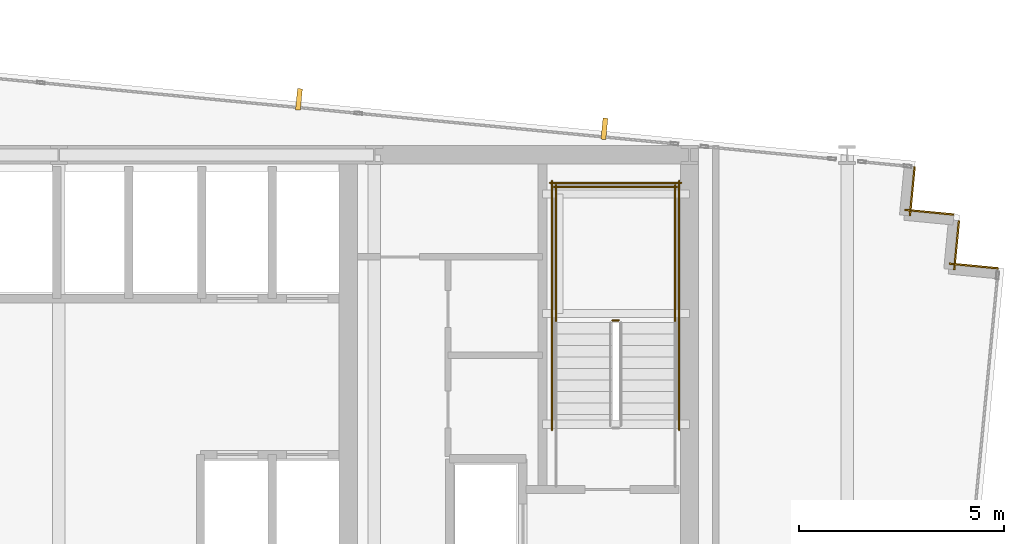
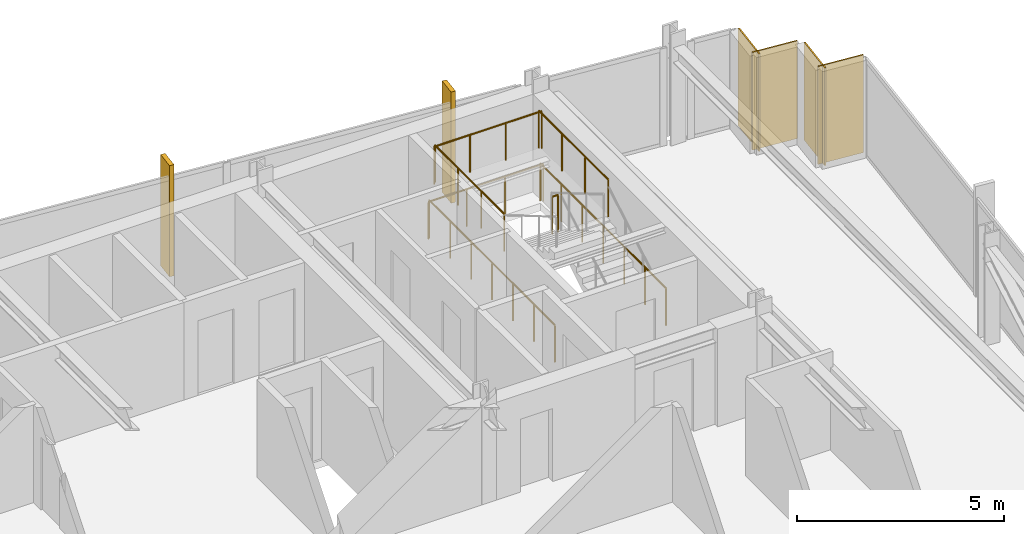
# One storey, part 37 of 37: 7 railings, 4 coverings, 2 shading devices.
"""IFC4 building model written with IfcOpenShell, lengths in metres."""

from ifc_helpers import new_model, si_unit, direction, frame, frame_2d, origin, origin_2d, place, context, subcontext, project, spatial, rectangle, circle, extrude, material, layer, layer_set, type_object, element, save


model = new_model("IFC4")

# Units and contexts
model_context = context("Model", 3, precision=1e-05, world=origin(), true_north=direction((0.0, 1.0)))
body_context = subcontext(model_context, "Body", "Model", "MODEL_VIEW")
ifc_project = project(units=[si_unit("LENGTHUNIT", "METRE"), si_unit("AREAUNIT", "SQUARE_METRE"), si_unit("VOLUMEUNIT", "CUBIC_METRE"), si_unit("PLANEANGLEUNIT", "RADIAN"), si_unit("MASSUNIT", "GRAM", prefix="KILO")], contexts=[model_context])

# Site, building, storey
site_placement = place(None, origin())
site = spatial("IfcSite", under=ifc_project, at=site_placement, CompositionType="ELEMENT")
building_placement = place(site_placement, origin())
building = spatial("IfcBuilding", under=site, at=building_placement, Name="Yelkora Congress Tower", CompositionType="ELEMENT")
storey_placement = place(building_placement, frame((0.0, 0.0, 188.60009765625)))
storey = spatial("IfcBuildingStorey", under=building, at=storey_placement, Name="L52", CompositionType="ELEMENT", Elevation=188.60009765625)

# Coverings
ifc_material_1 = material(Name="Anatolian bush-hammered limestone", Category="masonry")
ifc_layer_1 = layer(ifc_material_1, 0.0400390625)
ifc_layer_set_1 = layer_set([ifc_layer_1], Name="Anatolian bush-hammered limestone")
covering_type = type_object("IfcCoveringType", Name="COV-CLAD-SPANDREL-40", PredefinedType="CLADDING", material=ifc_layer_set_1)
covering_1_placement = place(storey_placement, frame((59.2431640625, 45.909912109375, 0.0), z_axis=(0.0, 0.0, 1.0), x_axis=(-0.095836473879, -0.995397091755, 0.0)))
element("IfcCovering", 1, at=covering_1_placement, inside=storey, type_object=covering_type, Name="L52 Anatolian Limestone Cladding EW-L52-SR11", PredefinedType="CLADDING", context=body_context, shape_type="SweptSolid", body=[
    extrude(rectangle(XDim=1.199951171875, YDim=0.0400390625, at=frame_2d((0.60009765625, 0.0))), origin(), (0.0, 0.0, 1.0), 2.8798828125),
])
for number, where, z_axis, x_axis, name in (
    (2, (59.006591796875, 44.86279296875, 0.0), (0.0, 0.0, 1.0), (0.995398960025, -0.095817067274, 0.0), "L52 Anatolian Limestone Cladding EW-L52-SR12"),
    (3, (60.322509765625, 44.6005859375, 0.0), (0.0, 0.0, 1.0), (-0.095817067274, -0.995398960025, 0.0), "L52 Anatolian Limestone Cladding EW-L52-SR13"),
):
    element("IfcCovering", number, at=place(storey_placement, frame(where, z_axis=z_axis, x_axis=x_axis)), inside=storey, type_object=covering_type, Name=name, PredefinedType="CLADDING", context=body_context, shape_type="SweptSolid", body=[
        extrude(rectangle(XDim=1.2001953125, YDim=0.0400390625, at=frame_2d((0.60009765625, 0.0))), origin(), (0.0, 0.0, 1.0), 2.8798828125),
    ])
covering_2_placement = place(storey_placement, frame((60.086181640625, 43.55322265625, 0.0), z_axis=(0.0, 0.0, 1.0), x_axis=(0.995397091755, -0.095836473879, 0.0)))
element("IfcCovering", 4, at=covering_2_placement, inside=storey, type_object=covering_type, Name="L52 Anatolian Limestone Cladding EW-L52-SR14", PredefinedType="CLADDING", context=body_context, shape_type="SweptSolid", body=[
    extrude(rectangle(XDim=1.199951171875, YDim=0.0400390625, at=frame_2d((0.60009765625, 0.0))), origin(), (0.0, 0.0, 1.0), 2.8798828125),
])

# Railings
ifc_material_2 = material(Name="Painted galvanised steel stair well guard with vertical infill", Category="steel")
ifc_layer_2 = layer(ifc_material_2, 0.06005859375)
ifc_layer_set_2 = layer_set([ifc_layer_2], Name="Painted galvanised steel stair well guard with vertical infill")
railing_type = type_object("IfcRailingType", Name="RAIL-STAIR-GUARD-1120", PredefinedType="GUARDRAIL", material=ifc_layer_set_2)
railing_1_placement = place(storey_placement, frame((52.0400390625, 42.169921875, 1.64990234375)))
element("IfcRailing", 5, at=railing_1_placement, inside=storey, type_object=railing_type, Name="ST-02 L52 Stair Well Guardrail 2", PredefinedType="GUARDRAIL", context=body_context, shape_type="SweptSolid", body=[
    extrude(circle(Radius=0.02392578125, at=origin_2d()), frame((0.0, 0.0, 1.09619140625), z_axis=(-1.0, 0.0, 0.0), x_axis=(0.0, -1.0, 0.0)), (0.0, 0.0, 1.0), 0.16015625),
    extrude(circle(Radius=0.02099609375, at=origin_2d()), origin(), (0.0, 0.0, 1.0), 1.072021484375),
    extrude(circle(Radius=0.02099609375, at=origin_2d()), frame((-0.16015625, 0.0, 0.0)), (0.0, 0.0, 1.0), 1.072021484375),
])
for number, where, name in (
    (6, (53.409912109375, 42.1201171875, 1.64990234375), "ST-02 L52 Stair Well Guardrail 3"),
    (7, (50.510009765625, 42.1201171875, 1.64990234375), "ST-02 L52 Stair Well Guardrail 4"),
):
    element("IfcRailing", number, at=place(storey_placement, frame(where)), inside=storey, type_object=railing_type, Name=name, PredefinedType="GUARDRAIL", context=body_context, shape_type="SweptSolid", body=[
        extrude(circle(Radius=0.02392578125, at=origin_2d()), frame((0.0, 0.0, 1.09619140625), z_axis=(0.0, 1.0, 0.0), x_axis=(-1.0, 0.0, 0.0)), (0.0, 0.0, 1.0), 3.349853515625),
        extrude(circle(Radius=0.02099609375, at=origin_2d()), origin(), (0.0, 0.0, 1.0), 1.072021484375),
        extrude(circle(Radius=0.02099609375, at=origin_2d()), frame((0.0, 1.11669921875, 0.0)), (0.0, 0.0, 1.0), 1.072021484375),
        extrude(circle(Radius=0.02099609375, at=origin_2d()), frame((0.0, 2.233154296875, 0.0)), (0.0, 0.0, 1.0), 1.072021484375),
        extrude(circle(Radius=0.02099609375, at=origin_2d()), frame((0.0, 3.349853515625, 0.0)), (0.0, 0.0, 1.0), 1.072021484375),
    ])
railing_2_placement = place(storey_placement, frame((53.4599609375, 45.419921875, 1.64990234375)))
element("IfcRailing", 8, at=railing_2_placement, inside=storey, type_object=railing_type, Name="ST-02 L52 Stair Well Guardrail 5", PredefinedType="GUARDRAIL", context=body_context, shape_type="SweptSolid", body=[
    extrude(circle(Radius=0.02392578125, at=origin_2d()), frame((0.0, 0.0, 1.09619140625), z_axis=(-1.0, 0.0, 0.0), x_axis=(0.0, -1.0, 0.0)), (0.0, 0.0, 1.0), 3.0),
    extrude(circle(Radius=0.02099609375, at=origin_2d()), origin(), (0.0, 0.0, 1.0), 1.072021484375),
    extrude(circle(Radius=0.02099609375, at=origin_2d()), frame((-1.0, 0.0, 0.0)), (0.0, 0.0, 1.0), 1.072021484375),
    extrude(circle(Radius=0.02099609375, at=origin_2d()), frame((-2.0, 0.0, 0.0)), (0.0, 0.0, 1.0), 1.072021484375),
    extrude(circle(Radius=0.02099609375, at=origin_2d()), frame((-3.0, 0.0, 0.0)), (0.0, 0.0, 1.0), 1.072021484375),
])
for number, where, name in (
    (9, (53.510009765625, 39.5, 0.0), "ST-02 L52 Stair Well Guardrail 10"),
    (10, (50.409912109375, 39.5, 0.0), "ST-02 L52 Stair Well Guardrail 11"),
):
    element("IfcRailing", number, at=place(storey_placement, frame(where)), inside=storey, type_object=railing_type, Name=name, PredefinedType="GUARDRAIL", context=body_context, shape_type="SweptSolid", body=[
        extrude(circle(Radius=0.02392578125, at=origin_2d()), frame((0.0, 0.0, 1.09619140625), z_axis=(0.0, 1.0, 0.0), x_axis=(-1.0, 0.0, 0.0)), (0.0, 0.0, 1.0), 6.070068359375),
        extrude(circle(Radius=0.02099609375, at=origin_2d()), origin(), (0.0, 0.0, 1.0), 1.072021484375),
        extrude(circle(Radius=0.02099609375, at=origin_2d()), frame((0.0, 1.01171875, 0.0)), (0.0, 0.0, 1.0), 1.072021484375),
        extrude(circle(Radius=0.02099609375, at=origin_2d()), frame((0.0, 2.0234375, 0.0)), (0.0, 0.0, 1.0), 1.072021484375),
        extrude(circle(Radius=0.02099609375, at=origin_2d()), frame((0.0, 3.03515625, 0.0)), (0.0, 0.0, 1.0), 1.072021484375),
        extrude(circle(Radius=0.02099609375, at=origin_2d()), frame((0.0, 4.046630859375, 0.0)), (0.0, 0.0, 1.0), 1.072021484375),
        extrude(circle(Radius=0.02099609375, at=origin_2d()), frame((0.0, 5.058349609375, 0.0)), (0.0, 0.0, 1.0), 1.072021484375),
        extrude(circle(Radius=0.02099609375, at=origin_2d()), frame((0.0, 6.070068359375, 0.0)), (0.0, 0.0, 1.0), 1.072021484375),
    ])
railing_3_placement = place(storey_placement, frame((53.56005859375, 45.52001953125, 0.0)))
element("IfcRailing", 11, at=railing_3_placement, inside=storey, type_object=railing_type, Name="ST-02 L52 Stair Well Guardrail 12", PredefinedType="GUARDRAIL", context=body_context, shape_type="SweptSolid", body=[
    extrude(circle(Radius=0.02392578125, at=origin_2d()), frame((0.0, 0.0, 1.09619140625), z_axis=(-1.0, 0.0, 0.0), x_axis=(0.0, -1.0, 0.0)), (0.0, 0.0, 1.0), 3.199951171875),
    extrude(circle(Radius=0.02099609375, at=origin_2d()), origin(), (0.0, 0.0, 1.0), 1.072021484375),
    extrude(circle(Radius=0.02099609375, at=origin_2d()), frame((-1.066650390625, 0.0, 0.0)), (0.0, 0.0, 1.0), 1.072021484375),
    extrude(circle(Radius=0.02099609375, at=origin_2d()), frame((-2.13330078125, 0.0, 0.0)), (0.0, 0.0, 1.0), 1.072021484375),
    extrude(circle(Radius=0.02099609375, at=origin_2d()), frame((-3.199951171875, 0.0, 0.0)), (0.0, 0.0, 1.0), 1.072021484375),
])

# Shading devices
ifc_material_3 = material(Name="Champagne anodised aluminium", Category="aluminium")
ifc_layer_3 = layer(ifc_material_3, 3.300048828125)
ifc_layer_set_3 = layer_set([ifc_layer_3], Name="Champagne anodised aluminium")
shading_device_type = type_object("IfcShadingDeviceType", Name="SHD-FIN-ALU-520", PredefinedType="USERDEFINED", material=ifc_layer_set_3)
for number, where, z_axis, x_axis, name in (
    (12, (44.248291015625, 47.5546875, -0.0302734375), (0.0, 0.0, 1.0), (0.995396198367, -0.09584575252, 0.0), "L52 Vertical Anodised Solar Fin 10-5"),
    (13, (51.68798828125, 46.83837890625, -0.0302734375), (0.0, 0.0, 1.0), (0.995396198367, -0.09584575252, 0.0), "L52 Vertical Anodised Solar Fin 10-6"),
):
    element("IfcShadingDevice", number, at=place(storey_placement, frame(where, z_axis=z_axis, x_axis=x_axis)), inside=storey, type_object=shading_device_type, Name=name, ObjectType="FIN", PredefinedType="USERDEFINED", context=body_context, shape_type="SweptSolid", body=[
        extrude(rectangle(XDim=0.1201171875, YDim=0.52001953125, at=origin_2d()), origin(), (0.0, 0.0, 1.0), 3.280029296875),
    ])

save(model, "model.ifc")
